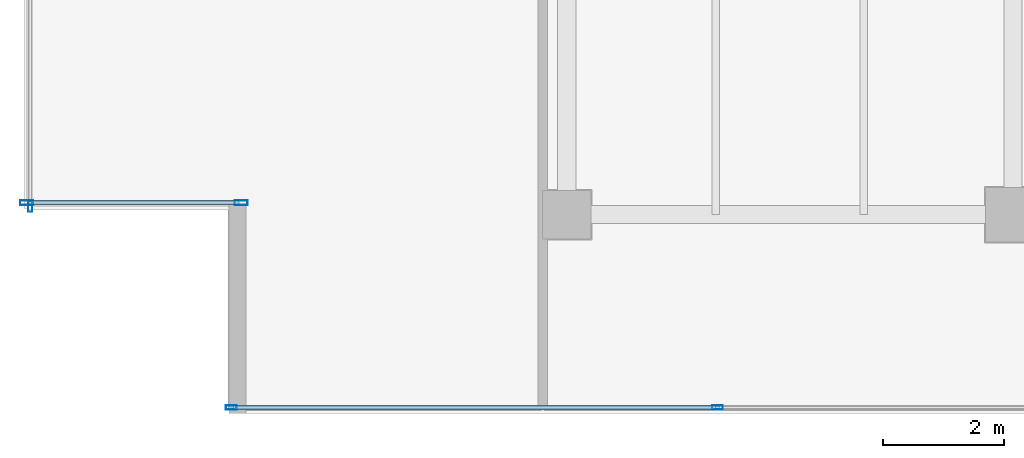
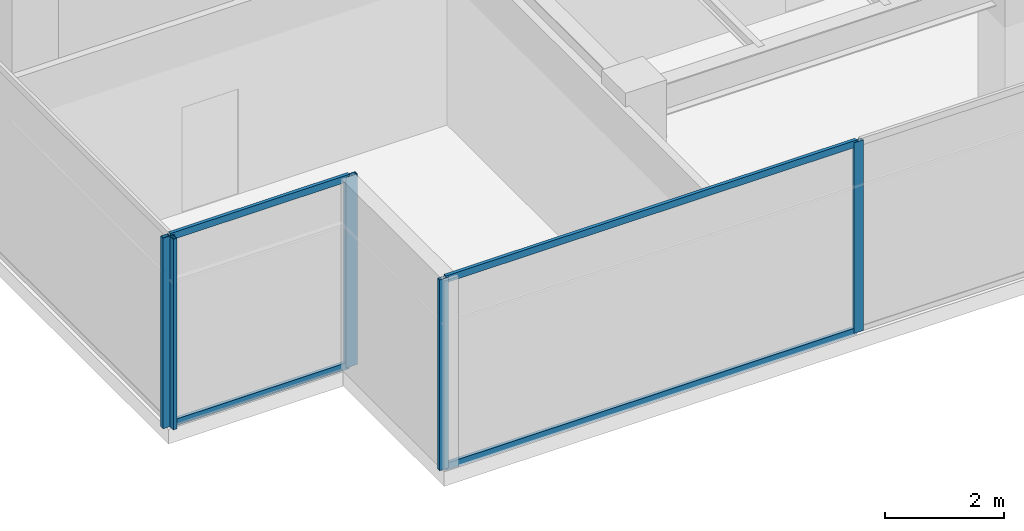
# One storey, part 5 of 34: 9 members, 3 elements without a shape of their own.
"""IFC4 building model written with IfcOpenShell, lengths in metres."""

from ifc_helpers import new_model, si_unit, direction, frame, origin, origin_2d, place, context, subcontext, project, spatial, hollow_rectangle, extrude, source, transform, mapped, material, layer, layer_set, material_profile, profile_set, type_object, type_shapes, element, aggregate, save


model = new_model("IFC4")

# Units and contexts
model_context = context("Model", 3, precision=1e-05, world=origin(), true_north=direction((0.0, 1.0)))
body_context = subcontext(model_context, "Body", "Model", "MODEL_VIEW")
ifc_project = project(units=[si_unit("LENGTHUNIT", "METRE"), si_unit("AREAUNIT", "SQUARE_METRE"), si_unit("VOLUMEUNIT", "CUBIC_METRE"), si_unit("PLANEANGLEUNIT", "RADIAN"), si_unit("MASSUNIT", "GRAM", prefix="KILO")], contexts=[model_context])

# Site, building, storey
site_placement = place(None, origin())
site = spatial("IfcSite", under=ifc_project, at=site_placement, CompositionType="ELEMENT")
building_placement = place(site_placement, origin())
building = spatial("IfcBuilding", under=site, at=building_placement, Name="Haelvirn Gate Laboratories", CompositionType="ELEMENT")
storey_placement = place(building_placement, frame((0.0, 0.0, 322.800048828125)))
storey = spatial("IfcBuildingStorey", under=building, at=storey_placement, Name="L77", CompositionType="ELEMENT", Elevation=322.800048828125)

# Curtain wall, members
ifc_material_1 = material(Name="Anodised bronze unitised aluminium & triple low-E glass", Category="aluminium")
ifc_layer_1 = layer(ifc_material_1, 0.181884765625, Name="CW-SYS-5")
ifc_layer_set_1 = layer_set([ifc_layer_1], Name="Anodised bronze unitised aluminium & triple low-E glass")
curtain_wall_type_1 = type_object("IfcCurtainWallType", Name="CW-SYS-5", PredefinedType="NOTDEFINED", material=ifc_layer_set_1)
curtain_wall_1_placement = place(storey_placement, origin())
curtain_wall_1 = element("IfcCurtainWall", 1, at=curtain_wall_1_placement, inside=storey, type_object=curtain_wall_type_1, Name="L77 Unitised Curtain Wall CW-L77-P0-E18-1", PredefinedType="NOTDEFINED")
ifc_material_2 = material(Name="Extruded aluminium 6063-T6 (anodised bronze)", Category="aluminium")
ifc_material_profile_1 = material_profile(ifc_material_2, hollow_rectangle(XDim=0.06494140625, YDim=0.139892578125, WallThickness=0.00390625, at=origin_2d()), Name="CWT-140x65x4")
ifc_profile_set_1 = profile_set([ifc_material_profile_1], Name="Extruded aluminium 6063-T6 (anodised bronze)")
member_type_1 = type_object("IfcMemberType", Name="CWT-T140", PredefinedType="USERDEFINED", material=ifc_profile_set_1)
shared_shape_1 = source(origin(), body_context, "Body", "SweptSolid", [
    extrude(hollow_rectangle(XDim=0.06494140625, YDim=0.139892578125, WallThickness=0.00390625, at=origin_2d()), origin(), (0.0, 0.0, 1.0), 3.480224609375),
])
member_1_placement = place(storey_placement, frame((5.8798828125, 7.199951171875, 0.032470703125), z_axis=(1.0, 0.0, 0.0), x_axis=(0.0, 1.0, 0.0)))
member_1 = element("IfcMember", 2, at=member_1_placement, type_object=member_type_1, Name="CW5 transom 1.1", ObjectType="TRANSOM", PredefinedType="USERDEFINED", context=body_context, shape_type="MappedRepresentation", body=[
    mapped(shared_shape_1, transform((0.0, 0.0, 0.0), scale=1.0)),
])
member_2_placement = place(storey_placement, frame((5.8798828125, 7.199951171875, 3.887451171875), z_axis=(1.0, 0.0, 0.0), x_axis=(0.0, 1.0, 0.0)))
member_2 = element("IfcMember", 3, at=member_2_placement, type_object=member_type_1, Name="CW5 transom 1.2", ObjectType="TRANSOM", PredefinedType="USERDEFINED", context=body_context, shape_type="MappedRepresentation", body=[
    mapped(shared_shape_1, transform((0.0, 0.0, 0.0), scale=1.0)),
])

ifc_layer_2 = layer(ifc_material_1, 0.176025390625, Name="CW-SYS-4")
ifc_layer_set_2 = layer_set([ifc_layer_2], Name="Anodised bronze unitised aluminium & triple low-E glass")
curtain_wall_type_2 = type_object("IfcCurtainWallType", Name="CW-SYS-4", PredefinedType="NOTDEFINED", material=ifc_layer_set_2)
curtain_wall_2_placement = place(storey_placement, origin())
curtain_wall_2 = element("IfcCurtainWall", 4, at=curtain_wall_2_placement, inside=storey, type_object=curtain_wall_type_2, Name="L77 Unitised Curtain Wall CW-L77-P0-E00-1", PredefinedType="NOTDEFINED")
shared_shape_2 = source(origin(), body_context, "Body", "SweptSolid", [
    extrude(hollow_rectangle(XDim=0.06494140625, YDim=0.139892578125, WallThickness=0.00390625, at=origin_2d()), origin(), (0.0, 0.0, 1.0), 7.994873046875),
])
type_shapes(member_type_1, [shared_shape_1, shared_shape_2])
member_3_placement = place(storey_placement, frame((9.27001953125, 3.800048828125, 0.032470703125), z_axis=(1.0, 0.0, 0.0), x_axis=(0.0, 1.0, 0.0)))
member_3 = element("IfcMember", 5, at=member_3_placement, type_object=member_type_1, Name="CW4 transom 1.1", ObjectType="TRANSOM", PredefinedType="USERDEFINED", context=body_context, shape_type="MappedRepresentation", body=[
    mapped(shared_shape_2, transform((0.0, 0.0, 0.0), scale=1.0)),
])
member_4_placement = place(storey_placement, frame((9.27001953125, 3.800048828125, 3.887451171875), z_axis=(1.0, 0.0, 0.0), x_axis=(0.0, 1.0, 0.0)))
member_4 = element("IfcMember", 6, at=member_4_placement, type_object=member_type_1, Name="CW4 transom 1.2", ObjectType="TRANSOM", PredefinedType="USERDEFINED", context=body_context, shape_type="MappedRepresentation", body=[
    mapped(shared_shape_2, transform((0.0, 0.0, 0.0), scale=1.0)),
])
ifc_material_profile_2 = material_profile(ifc_material_2, hollow_rectangle(XDim=0.070068359375, YDim=0.179931640625, WallThickness=0.0048828125, at=origin_2d()), Name="CWM-180x70x5")
ifc_profile_set_2 = profile_set([ifc_material_profile_2], Name="Extruded aluminium 6063-T6 (anodised bronze)")
member_type_2 = type_object("IfcMemberType", Name="CWM-T180", PredefinedType="MULLION", material=ifc_profile_set_2)
shared_shape_3 = source(origin(), body_context, "Body", "SweptSolid", [
    extrude(hollow_rectangle(XDim=0.070068359375, YDim=0.179931640625, WallThickness=0.0048828125, at=origin_2d()), origin(), (0.0, 0.0, 1.0), 3.919921875),
])
type_shapes(member_type_2, [shared_shape_3])
member_5_placement = place(storey_placement, frame((9.235107421875, 3.800048828125, 0.0), z_axis=(0.0, 0.0, 1.0), x_axis=(0.0, 1.0, 0.0)))
member_5 = element("IfcMember", 7, at=member_5_placement, type_object=member_type_2, Name="CW4 mullion 1", PredefinedType="MULLION", context=body_context, shape_type="MappedRepresentation", body=[
    mapped(shared_shape_3, transform((0.0, 0.0, 0.0), scale=1.0)),
])
member_6_placement = place(storey_placement, frame((17.300048828125, 3.800048828125, 0.0), z_axis=(0.0, 0.0, 1.0), x_axis=(0.0, 1.0, 0.0)))
member_6 = element("IfcMember", 8, at=member_6_placement, type_object=member_type_2, Name="CW4 mullion 2", PredefinedType="MULLION", context=body_context, shape_type="MappedRepresentation", body=[
    mapped(shared_shape_3, transform((0.0, 0.0, 0.0), scale=1.0)),
])
aggregate(curtain_wall_2, [member_5, member_6, member_3, member_4])

# Curtain wall, member
curtain_wall_3_placement = place(storey_placement, origin())
curtain_wall_3 = element("IfcCurtainWall", 9, at=curtain_wall_3_placement, inside=storey, type_object=curtain_wall_type_2, Name="L77 Unitised Curtain Wall CW-L77-P0-E17", PredefinedType="NOTDEFINED")
member_7_placement = place(storey_placement, frame((5.89990234375, 7.135009765625, 0.0), z_axis=(0.0, 0.0, 1.0), x_axis=(1.0, 0.0, 0.0)))
member_7 = element("IfcMember", 10, at=member_7_placement, type_object=member_type_2, Name="CW4 mullion 3", PredefinedType="MULLION", context=body_context, shape_type="MappedRepresentation", body=[
    mapped(shared_shape_3, transform((0.0, 0.0, 0.0), scale=1.0)),
])
aggregate(curtain_wall_3, [member_7])

# Member
ifc_material_profile_3 = material_profile(ifc_material_2, hollow_rectangle(XDim=0.080078125, YDim=0.219970703125, WallThickness=0.006103515625, at=origin_2d()), Name="CWM-220x80x6")
ifc_profile_set_3 = profile_set([ifc_material_profile_3], Name="Extruded aluminium 6063-T6 (anodised bronze)")
member_type_3 = type_object("IfcMemberType", Name="CWM-T220", PredefinedType="MULLION", material=ifc_profile_set_3)
shared_shape_4 = source(origin(), body_context, "Body", "SweptSolid", [
    extrude(hollow_rectangle(XDim=0.080078125, YDim=0.219970703125, WallThickness=0.006103515625, at=origin_2d()), origin(), (0.0, 0.0, 1.0), 3.919921875),
])
type_shapes(member_type_3, [shared_shape_4])
member_8_placement = place(storey_placement, frame((5.840087890625, 7.199951171875, 0.0), z_axis=(0.0, 0.0, 1.0), x_axis=(0.0, 1.0, 0.0)))
member_8 = element("IfcMember", 11, at=member_8_placement, type_object=member_type_3, Name="CW5 mullion 1", PredefinedType="MULLION", context=body_context, shape_type="MappedRepresentation", body=[
    mapped(shared_shape_4, transform((0.0, 0.0, 0.0), scale=1.0)),
])

member_9_placement = place(storey_placement, frame((9.39990234375, 7.199951171875, 0.0), z_axis=(0.0, 0.0, 1.0), x_axis=(0.0, 1.0, 0.0)))
member_9 = element("IfcMember", 12, at=member_9_placement, type_object=member_type_3, Name="CW5 mullion 2", PredefinedType="MULLION", context=body_context, shape_type="MappedRepresentation", body=[
    mapped(shared_shape_4, transform((0.0, 0.0, 0.0), scale=1.0)),
])

aggregate(curtain_wall_1, [member_8, member_9, member_1, member_2])

save(model, "model.ifc")
